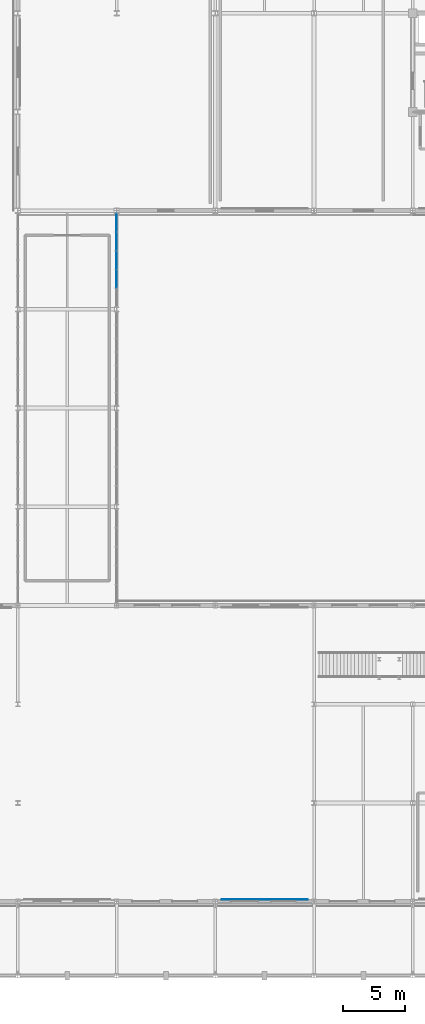
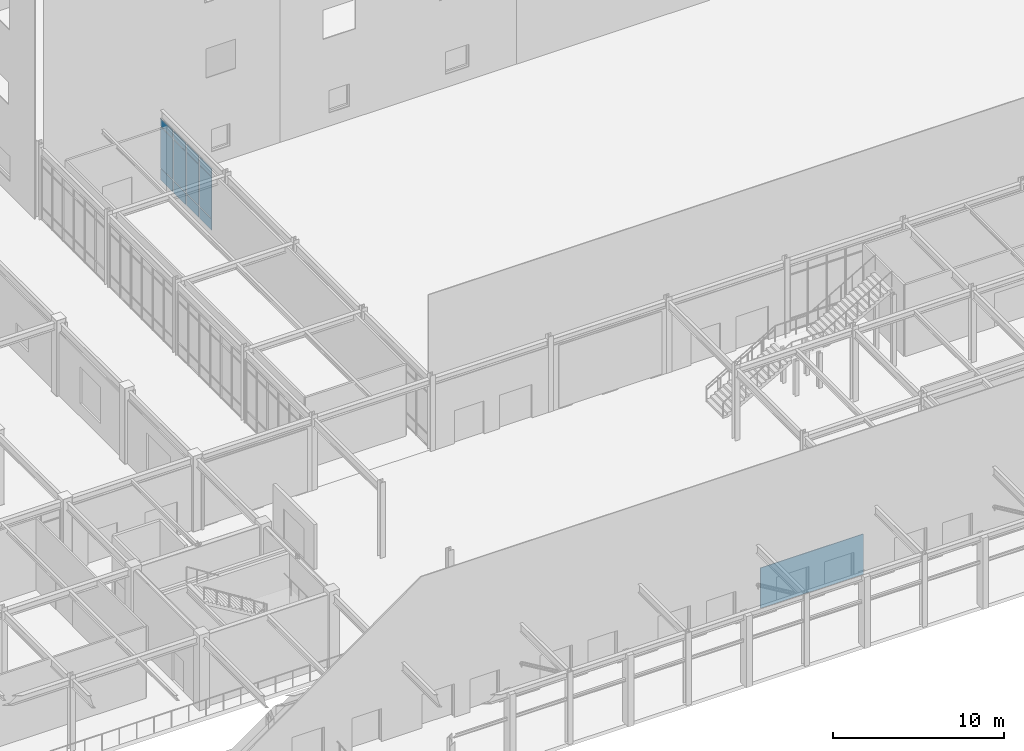
# One storey, part 58 of 119: 13 plates, 1 element without a shape of its own.
"""IFC4 building model written with IfcOpenShell, lengths in metres."""

from ifc_helpers import new_model, si_unit, direction, frame, origin, origin_2d, place, context, subcontext, project, spatial, rectangle, extrude, material, layer, layer_set, type_object, element, aggregate, save


model = new_model("IFC4")

# Units and contexts
model_context = context("Model", 3, precision=1e-05, world=origin(), true_north=direction((0.0, 1.0)))
body_context = subcontext(model_context, "Body", "Model", "MODEL_VIEW")
ifc_project = project(units=[si_unit("LENGTHUNIT", "METRE"), si_unit("AREAUNIT", "SQUARE_METRE"), si_unit("VOLUMEUNIT", "CUBIC_METRE"), si_unit("PLANEANGLEUNIT", "RADIAN"), si_unit("MASSUNIT", "GRAM", prefix="KILO")], contexts=[model_context])

# Site, building, storey
site_placement = place(None, origin())
site = spatial("IfcSite", under=ifc_project, at=site_placement, CompositionType="ELEMENT")
building_placement = place(site_placement, origin())
building = spatial("IfcBuilding", under=site, at=building_placement, Name="Zhaolan Boulevard Law Courts", CompositionType="ELEMENT")
storey_placement = place(building_placement, origin())
storey = spatial("IfcBuildingStorey", under=building, at=storey_placement, Name="L00", CompositionType="ELEMENT", Elevation=0.0)

# Curtain wall, plates
ifc_material_1 = material(Name="Thermally broken aluminium and low-E glazing", Category="aluminium")
curtain_wall_type = type_object("IfcCurtainWallType", Name="CURTAIN WALL M19", PredefinedType="USERDEFINED", material=ifc_material_1)
curtain_wall_placement = place(storey_placement, origin())
curtain_wall = element("IfcCurtainWall", 1, at=curtain_wall_placement, inside=storey, type_object=curtain_wall_type, Name="Curtain Wall CW-L00-019", ObjectType="CURTAIN WALL", PredefinedType="USERDEFINED")
ifc_material_2 = material(Name="Acoustic laminated low-E glazing", Category="glass")
ifc_layer_1 = layer(ifc_material_2, 0.031982421875)
ifc_layer_set_1 = layer_set([ifc_layer_1])
plate_type_1 = type_object("IfcPlateType", Name="CWPANEL LOW E32", PredefinedType="CURTAIN_PANEL", material=ifc_layer_set_1)
plate_1_placement = place(storey_placement, frame((60.0, 56.46337890625, 0.06494140625), z_axis=(0.0, 0.0, 1.0), x_axis=(0.0, 1.0, 0.0)))
plate_1 = element("IfcPlate", 2, at=plate_1_placement, type_object=plate_type_1, Name="CW-L00-019 panel 2.1", PredefinedType="CURTAIN_PANEL", context=body_context, shape_type="SweptSolid", body=[
    extrude(rectangle(XDim=1.459228515625, YDim=0.031982421875, at=origin_2d()), origin(), (0.0, 0.0, 1.0), 0.802490234375),
])
plate_2_placement = place(storey_placement, frame((60.0, 56.46337890625, 0.9326171875), z_axis=(0.0, 0.0, 1.0), x_axis=(0.0, 1.0, 0.0)))
plate_2 = element("IfcPlate", 3, at=plate_2_placement, type_object=plate_type_1, Name="CW-L00-019 panel 2.2", PredefinedType="CURTAIN_PANEL", context=body_context, shape_type="SweptSolid", body=[
    extrude(rectangle(XDim=1.459228515625, YDim=0.031982421875, at=origin_2d()), origin(), (0.0, 0.0, 1.0), 2.91796875),
])
plate_3_placement = place(storey_placement, frame((60.0, 56.46337890625, 3.91552734375), z_axis=(0.0, 0.0, 1.0), x_axis=(0.0, 1.0, 0.0)))
plate_3 = element("IfcPlate", 4, at=plate_3_placement, type_object=plate_type_1, Name="CW-L00-019 panel 2.3", PredefinedType="CURTAIN_PANEL", context=body_context, shape_type="SweptSolid", body=[
    extrude(rectangle(XDim=1.459228515625, YDim=0.031982421875, at=origin_2d()), origin(), (0.0, 0.0, 1.0), 0.552490234375),
])
plate_4_placement = place(storey_placement, frame((60.0, 57.987548828125, 0.06494140625), z_axis=(0.0, 0.0, 1.0), x_axis=(0.0, 1.0, 0.0)))
plate_4 = element("IfcPlate", 5, at=plate_4_placement, type_object=plate_type_1, Name="CW-L00-019 panel 3.1", PredefinedType="CURTAIN_PANEL", context=body_context, shape_type="SweptSolid", body=[
    extrude(rectangle(XDim=1.459228515625, YDim=0.031982421875, at=origin_2d()), origin(), (0.0, 0.0, 1.0), 0.802490234375),
])
plate_5_placement = place(storey_placement, frame((60.0, 57.987548828125, 0.9326171875), z_axis=(0.0, 0.0, 1.0), x_axis=(0.0, 1.0, 0.0)))
plate_5 = element("IfcPlate", 6, at=plate_5_placement, type_object=plate_type_1, Name="CW-L00-019 panel 3.2", PredefinedType="CURTAIN_PANEL", context=body_context, shape_type="SweptSolid", body=[
    extrude(rectangle(XDim=1.459228515625, YDim=0.031982421875, at=origin_2d()), origin(), (0.0, 0.0, 1.0), 2.91796875),
])
plate_6_placement = place(storey_placement, frame((60.0, 57.987548828125, 3.91552734375), z_axis=(0.0, 0.0, 1.0), x_axis=(0.0, 1.0, 0.0)))
plate_6 = element("IfcPlate", 7, at=plate_6_placement, type_object=plate_type_1, Name="CW-L00-019 panel 3.3", PredefinedType="CURTAIN_PANEL", context=body_context, shape_type="SweptSolid", body=[
    extrude(rectangle(XDim=1.459228515625, YDim=0.031982421875, at=origin_2d()), origin(), (0.0, 0.0, 1.0), 0.552490234375),
])
plate_7_placement = place(storey_placement, frame((60.0, 59.51171875, 0.06494140625), z_axis=(0.0, 0.0, 1.0), x_axis=(0.0, 1.0, 0.0)))
plate_7 = element("IfcPlate", 8, at=plate_7_placement, type_object=plate_type_1, Name="CW-L00-019 panel 4.1", PredefinedType="CURTAIN_PANEL", context=body_context, shape_type="SweptSolid", body=[
    extrude(rectangle(XDim=1.459228515625, YDim=0.031982421875, at=origin_2d()), origin(), (0.0, 0.0, 1.0), 0.802490234375),
])
plate_8_placement = place(storey_placement, frame((60.0, 59.51171875, 0.9326171875), z_axis=(0.0, 0.0, 1.0), x_axis=(0.0, 1.0, 0.0)))
plate_8 = element("IfcPlate", 9, at=plate_8_placement, type_object=plate_type_1, Name="CW-L00-019 panel 4.2", PredefinedType="CURTAIN_PANEL", context=body_context, shape_type="SweptSolid", body=[
    extrude(rectangle(XDim=1.459228515625, YDim=0.031982421875, at=origin_2d()), origin(), (0.0, 0.0, 1.0), 2.91796875),
])
plate_9_placement = place(storey_placement, frame((60.0, 59.51171875, 3.91552734375), z_axis=(0.0, 0.0, 1.0), x_axis=(0.0, 1.0, 0.0)))
plate_9 = element("IfcPlate", 10, at=plate_9_placement, type_object=plate_type_1, Name="CW-L00-019 panel 4.3", PredefinedType="CURTAIN_PANEL", context=body_context, shape_type="SweptSolid", body=[
    extrude(rectangle(XDim=1.459228515625, YDim=0.031982421875, at=origin_2d()), origin(), (0.0, 0.0, 1.0), 0.552490234375),
])
plate_10_placement = place(storey_placement, frame((60.0, 61.01953125, 0.06494140625), z_axis=(0.0, 0.0, 1.0), x_axis=(0.0, 1.0, 0.0)))
plate_10 = element("IfcPlate", 11, at=plate_10_placement, type_object=plate_type_1, Name="CW-L00-019 panel 5.1", PredefinedType="CURTAIN_PANEL", context=body_context, shape_type="SweptSolid", body=[
    extrude(rectangle(XDim=1.4267578125, YDim=0.031982421875, at=origin_2d()), origin(), (0.0, 0.0, 1.0), 0.802490234375),
])
plate_11_placement = place(storey_placement, frame((60.0, 61.01953125, 0.9326171875), z_axis=(0.0, 0.0, 1.0), x_axis=(0.0, 1.0, 0.0)))
plate_11 = element("IfcPlate", 12, at=plate_11_placement, type_object=plate_type_1, Name="CW-L00-019 panel 5.2", PredefinedType="CURTAIN_PANEL", context=body_context, shape_type="SweptSolid", body=[
    extrude(rectangle(XDim=1.4267578125, YDim=0.031982421875, at=origin_2d()), origin(), (0.0, 0.0, 1.0), 2.91796875),
])
plate_12_placement = place(storey_placement, frame((60.0, 61.01953125, 3.91552734375), z_axis=(0.0, 0.0, 1.0), x_axis=(0.0, 1.0, 0.0)))
plate_12 = element("IfcPlate", 13, at=plate_12_placement, type_object=plate_type_1, Name="CW-L00-019 panel 5.3", PredefinedType="CURTAIN_PANEL", context=body_context, shape_type="SweptSolid", body=[
    extrude(rectangle(XDim=1.4267578125, YDim=0.031982421875, at=origin_2d()), origin(), (0.0, 0.0, 1.0), 0.552490234375),
])
aggregate(curtain_wall, [plate_1, plate_2, plate_3, plate_4, plate_5, plate_6, plate_7, plate_8, plate_9, plate_10, plate_11, plate_12])

# Plate
ifc_material_3 = material(Name="Pale mist-grey standing-seam Al-Mg-Mn zinc-titanium")
ifc_layer_2 = layer(ifc_material_3, 0.050048828125)
ifc_layer_set_2 = layer_set([ifc_layer_2])
plate_type_2 = type_object("IfcPlateType", Name="STANDING SEAM PLATE 50", PredefinedType="SHEET", material=ifc_layer_set_2)
plate_13_placement = place(storey_placement, frame((72.0, 6.18505859375, 0.099609375), z_axis=(0.0, 0.0, 1.0), x_axis=(1.0, 0.0, 0.0)))
element("IfcPlate", 14, at=plate_13_placement, inside=storey, type_object=plate_type_2, Name="Standing-Seam Metal Wall Cladding SSP-L00-128", PredefinedType="SHEET", context=body_context, shape_type="SweptSolid", body=[
    extrude(rectangle(XDim=6.9599609375, YDim=0.050048828125, at=origin_2d()), origin(), (0.0, 0.0, 1.0), 2.885009765625),
])

save(model, "model.ifc")
